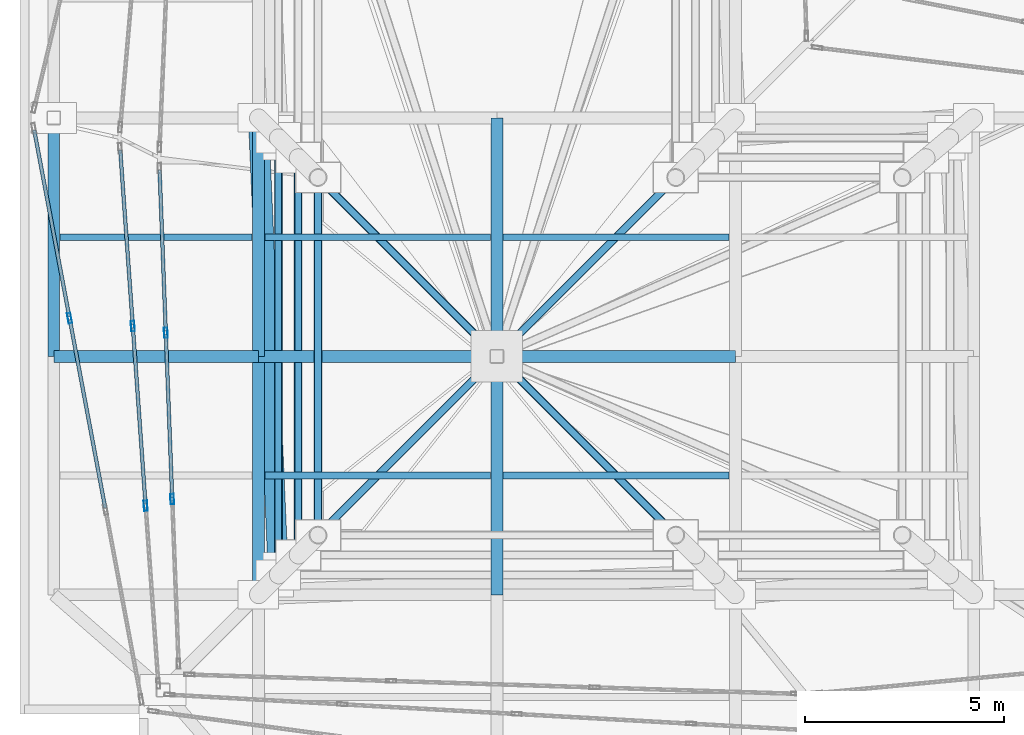
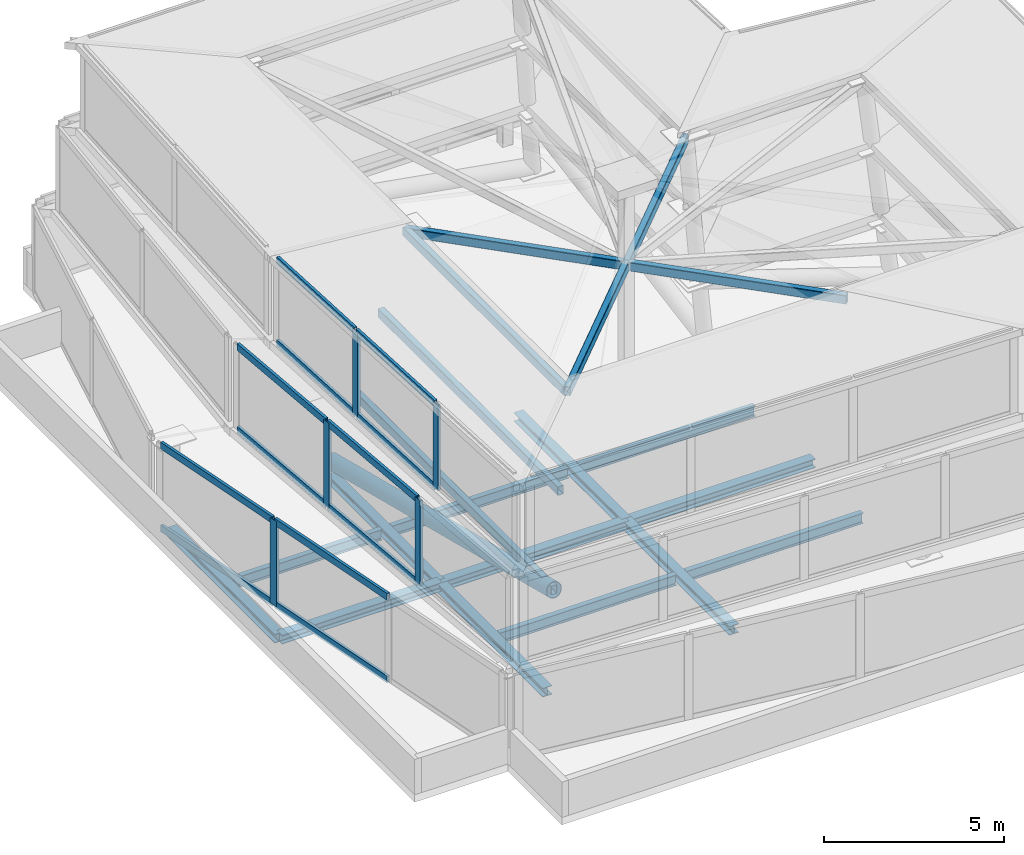
# One storey, part 3 of 15: 20 beams, 18 members, 3 elements without a shape of their own.
"""IFC4 building model written with IfcOpenShell, lengths in metres."""

from ifc_helpers import new_model, si_unit, direction, frame, origin, origin_2d, place, context, subcontext, project, spatial, hollow_rectangle, hollow_circle, i_section, extrude, material, layer, layer_set, material_profile, profile_set, type_object, element, aggregate, save


model = new_model("IFC4")

# Units and contexts
model_context = context("Model", 3, precision=1e-05, world=origin(), true_north=direction((0.0, 1.0)))
body_context = subcontext(model_context, "Body", "Model", "MODEL_VIEW")
ifc_project = project(units=[si_unit("LENGTHUNIT", "METRE"), si_unit("AREAUNIT", "SQUARE_METRE"), si_unit("VOLUMEUNIT", "CUBIC_METRE"), si_unit("PLANEANGLEUNIT", "RADIAN"), si_unit("MASSUNIT", "GRAM", prefix="KILO"), si_unit("THERMODYNAMICTEMPERATUREUNIT", "KELVIN"), si_unit("POWERUNIT", "WATT")], contexts=[model_context])

# Site, building, storey
site_placement = place(None, origin())
site = spatial("IfcSite", under=ifc_project, at=site_placement, CompositionType="ELEMENT")
building_placement = place(site_placement, origin())
building = spatial("IfcBuilding", under=site, at=building_placement, Name="Svarakhadi Broadcast Tower", CompositionType="ELEMENT")
storey_placement = place(building_placement, frame((0.0, 0.0, 310.5)))
storey = spatial("IfcBuildingStorey", under=building, at=storey_placement, Name="RF", CompositionType="ELEMENT", Elevation=310.5)

# Beams
ifc_material_1 = material(Name="Steel S355J2 (IS 2062 E350C)", Category="steel")
ifc_material_profile_1 = material_profile(ifc_material_1, i_section(OverallWidth=0.169921875, OverallDepth=0.360107421875, WebThickness=0.008056640625, FlangeThickness=0.0126953125, FilletRadius=0.01806640625, at=origin_2d()), Name="NPB 360x170x57")
ifc_profile_set_1 = profile_set([ifc_material_profile_1], Name="Steel S355J2 (IS 2062 E350C)")
beam_type_1 = type_object("IfcBeamType", Name="Beam_NPB360", PredefinedType="BEAM", material=ifc_profile_set_1)
beam_1_placement = place(storey_placement, frame((1.010009765625, 15.0, -0.429931640625), z_axis=(1.0, 0.0, 0.0), x_axis=(0.0, 1.0, 0.0)))
element("IfcBeam", 1, at=beam_1_placement, inside=storey, type_object=beam_type_1, Name="RF Secondary Composite Beam SB002", PredefinedType="BEAM", context=body_context, shape_type="SweptSolid", body=[
    extrude(i_section(OverallWidth=0.169921875, OverallDepth=0.360107421875, WebThickness=0.008056640625, FlangeThickness=0.0126953125, FilletRadius=0.01806640625, at=origin_2d()), origin(), (0.0, 0.0, 1.0), 4.830078125),
])
for number, where, z_axis, x_axis, name in (
    (2, (6.159912109375, 9.0, -0.429931640625), (1.0, 0.0, 0.0), (0.0, 1.0, 0.0), "RF Secondary Composite Beam SB005"),
    (3, (6.159912109375, 15.0, -0.429931640625), (1.0, 0.0, 0.0), (0.0, 1.0, 0.0), "RF Secondary Composite Beam SB006"),
    (4, (12.159912109375, 9.0, -0.429931640625), (1.0, 0.0, 0.0), (0.0, 1.0, 0.0), "RF Secondary Composite Beam SB008"),
    (5, (12.159912109375, 15.0, -0.429931640625), (1.0, 0.0, 0.0), (0.0, 1.0, 0.0), "RF Secondary Composite Beam SB009"),
):
    element("IfcBeam", number, at=place(storey_placement, frame(where, z_axis=z_axis, x_axis=x_axis)), inside=storey, type_object=beam_type_1, Name=name, PredefinedType="BEAM", context=body_context, shape_type="SweptSolid", body=[
        extrude(i_section(OverallWidth=0.169921875, OverallDepth=0.360107421875, WebThickness=0.008056640625, FlangeThickness=0.0126953125, FilletRadius=0.01806640625, at=origin_2d()), origin(), (0.0, 0.0, 1.0), 5.68017578125),
    ])

# Curtain wall, member
ifc_material_2 = material(Name="Anodised Bronze Aluminium AA 6063-T6", Category="aluminium")
ifc_layer = layer(ifc_material_2, 0.260009765625)
ifc_layer_set = layer_set([ifc_layer], Name="Anodised Bronze Aluminium AA 6063-T6")
curtain_wall_type = type_object("IfcCurtainWallType", Name="CW_Sys_07", PredefinedType="NOTDEFINED", material=ifc_layer_set)
curtain_wall_1_placement = place(storey_placement, origin())
curtain_wall_1 = element("IfcCurtainWall", 6, at=curtain_wall_1_placement, inside=storey, type_object=curtain_wall_type, Name="Crown Tier 1 Faceted Curtain Wall 8", PredefinedType="NOTDEFINED")
ifc_material_profile_2 = material_profile(ifc_material_2, hollow_rectangle(XDim=0.090087890625, YDim=0.260009765625, WallThickness=0.005615234375, at=origin_2d()), Name="ALU MULLION 260x90x6")
ifc_profile_set_2 = profile_set([ifc_material_profile_2], Name="Anodised Bronze Aluminium AA 6063-T6")
member_type_1 = type_object("IfcMemberType", Name="CW_Sys_07_Mul", PredefinedType="MULLION", material=ifc_profile_set_2)
member_1_placement = place(storey_placement, frame((1.246826171875, 12.961181640625, 0.0), z_axis=(0.0, 0.0, 1.0), x_axis=(0.982796739927, 0.184690465344, 0.0)))
member_1 = element("IfcMember", 7, at=member_1_placement, type_object=member_type_1, Name="CW-07 mullion 2", PredefinedType="MULLION", context=body_context, shape_type="SweptSolid", body=[
    extrude(hollow_rectangle(XDim=0.090087890625, YDim=0.260009765625, WallThickness=0.005615234375, at=origin_2d()), origin(), (0.0, 0.0, 1.0), 2.89990234375),
])

# Curtain wall, members
curtain_wall_2_placement = place(storey_placement, origin())
curtain_wall_2 = element("IfcCurtainWall", 8, at=curtain_wall_2_placement, inside=storey, type_object=curtain_wall_type, Name="Crown Tier 2 Faceted Curtain Wall 8", PredefinedType="NOTDEFINED")
member_2_placement = place(storey_placement, frame((2.838623046875, 12.76025390625, 2.89990234375), z_axis=(0.0, 0.0, 1.0), x_axis=(0.997458998512, 0.071242868326, 0.0)))
member_2 = element("IfcMember", 9, at=member_2_placement, type_object=member_type_1, Name="CW-07 mullion 2", PredefinedType="MULLION", context=body_context, shape_type="SweptSolid", body=[
    extrude(hollow_rectangle(XDim=0.090087890625, YDim=0.260009765625, WallThickness=0.005615234375, at=origin_2d()), origin(), (0.0, 0.0, 1.0), 2.900146484375),
])
member_3_placement = place(storey_placement, frame((3.161376953125, 8.23974609375, 2.89990234375), z_axis=(0.0, 0.0, 1.0), x_axis=(0.997458998512, 0.071242868326, 0.0)))
member_3 = element("IfcMember", 10, at=member_3_placement, type_object=member_type_1, Name="CW-07 mullion 3", PredefinedType="MULLION", context=body_context, shape_type="SweptSolid", body=[
    extrude(hollow_rectangle(XDim=0.090087890625, YDim=0.260009765625, WallThickness=0.005615234375, at=origin_2d()), origin(), (0.0, 0.0, 1.0), 2.900146484375),
])

curtain_wall_3_placement = place(storey_placement, origin())
curtain_wall_3 = element("IfcCurtainWall", 11, at=curtain_wall_3_placement, inside=storey, type_object=curtain_wall_type, Name="Crown Tier 3 Faceted Curtain Wall 8", PredefinedType="NOTDEFINED")
member_4_placement = place(storey_placement, frame((3.66943359375, 12.593505859375, 5.800048828125), z_axis=(0.0, 0.0, 1.0), x_axis=(0.999261456636, 0.038425789272, 0.0)))
member_4 = element("IfcMember", 12, at=member_4_placement, type_object=member_type_1, Name="CW-07 mullion 2", PredefinedType="MULLION", context=body_context, shape_type="SweptSolid", body=[
    extrude(hollow_rectangle(XDim=0.090087890625, YDim=0.260009765625, WallThickness=0.005615234375, at=origin_2d()), origin(), (0.0, 0.0, 1.0), 2.89990234375),
])
member_5_placement = place(storey_placement, frame((3.83056640625, 8.406494140625, 5.800048828125), z_axis=(0.0, 0.0, 1.0), x_axis=(0.999261456636, 0.038425789272, 0.0)))
member_5 = element("IfcMember", 13, at=member_5_placement, type_object=member_type_1, Name="CW-07 mullion 3", PredefinedType="MULLION", context=body_context, shape_type="SweptSolid", body=[
    extrude(hollow_rectangle(XDim=0.090087890625, YDim=0.260009765625, WallThickness=0.005615234375, at=origin_2d()), origin(), (0.0, 0.0, 1.0), 2.89990234375),
])

# Member
ifc_material_profile_3 = material_profile(ifc_material_2, hollow_rectangle(XDim=0.090087890625, YDim=0.22998046875, WallThickness=0.0048828125, at=origin_2d()), Name="ALU TRANSOM 230x90x5")
ifc_profile_set_3 = profile_set([ifc_material_profile_3], Name="Anodised Bronze Aluminium AA 6063-T6")
member_type_2 = type_object("IfcMemberType", Name="CW_Sys_07_Trn", PredefinedType="USERDEFINED", material=ifc_profile_set_3)
member_6_placement = place(storey_placement, frame((0.357177734375, 17.6953125, 0.044921875), z_axis=(0.184690082803, -0.982796811815, 0.0), x_axis=(0.982796811815, 0.184690082803, 0.0)))
member_6 = element("IfcMember", 14, at=member_6_placement, type_object=member_type_2, Name="CW-07 transom 1.1", ObjectType="TRANSOM", PredefinedType="USERDEFINED", context=body_context, shape_type="SweptSolid", body=[
    extrude(hollow_rectangle(XDim=0.090087890625, YDim=0.22998046875, WallThickness=0.0048828125, at=origin_2d()), origin(), (0.0, 0.0, 1.0), 4.77197265625),
])

member_7_placement = place(storey_placement, frame((0.357177734375, 17.6953125, 2.85498046875), z_axis=(0.184690082803, -0.982796811815, 0.0), x_axis=(0.982796811815, 0.184690082803, 0.0)))
member_7 = element("IfcMember", 15, at=member_7_placement, type_object=member_type_2, Name="CW-07 transom 1.2", ObjectType="TRANSOM", PredefinedType="USERDEFINED", context=body_context, shape_type="SweptSolid", body=[
    extrude(hollow_rectangle(XDim=0.090087890625, YDim=0.22998046875, WallThickness=0.0048828125, at=origin_2d()), origin(), (0.0, 0.0, 1.0), 4.77197265625),
])

member_8_placement = place(storey_placement, frame((1.255126953125, 12.9169921875, 0.044921875), z_axis=(0.184689394741, -0.982796941118, 0.0), x_axis=(0.982796941118, 0.184689394741, 0.0)))
member_8 = element("IfcMember", 16, at=member_8_placement, type_object=member_type_2, Name="CW-07 transom 2.1", ObjectType="TRANSOM", PredefinedType="USERDEFINED", context=body_context, shape_type="SweptSolid", body=[
    extrude(hollow_rectangle(XDim=0.090087890625, YDim=0.22998046875, WallThickness=0.0048828125, at=origin_2d()), origin(), (0.0, 0.0, 1.0), 4.81689453125),
])

member_9_placement = place(storey_placement, frame((1.255126953125, 12.9169921875, 2.85498046875), z_axis=(0.184689394741, -0.982796941118, 0.0), x_axis=(0.982796941118, 0.184689394741, 0.0)))
member_9 = element("IfcMember", 17, at=member_9_placement, type_object=member_type_2, Name="CW-07 transom 2.2", ObjectType="TRANSOM", PredefinedType="USERDEFINED", context=body_context, shape_type="SweptSolid", body=[
    extrude(hollow_rectangle(XDim=0.090087890625, YDim=0.22998046875, WallThickness=0.0048828125, at=origin_2d()), origin(), (0.0, 0.0, 1.0), 4.81689453125),
])

aggregate(curtain_wall_1, [member_1, member_6, member_7, member_8, member_9])

member_10_placement = place(storey_placement, frame((2.522216796875, 17.19091796875, 2.945068359375), z_axis=(0.071239158043, -0.99745926351, 0.0), x_axis=(0.99745926351, 0.071239158043, 0.0)))
member_10 = element("IfcMember", 18, at=member_10_placement, type_object=member_type_2, Name="CW-07 transom 1.1", ObjectType="TRANSOM", PredefinedType="USERDEFINED", context=body_context, shape_type="SweptSolid", body=[
    extrude(hollow_rectangle(XDim=0.090087890625, YDim=0.22998046875, WallThickness=0.0048828125, at=origin_2d()), origin(), (0.0, 0.0, 1.0), 4.39697265625),
])

member_11_placement = place(storey_placement, frame((2.522216796875, 17.19091796875, 5.7548828125), z_axis=(0.071239158043, -0.99745926351, 0.0), x_axis=(0.99745926351, 0.071239158043, 0.0)))
member_11 = element("IfcMember", 19, at=member_11_placement, type_object=member_type_2, Name="CW-07 transom 1.2", ObjectType="TRANSOM", PredefinedType="USERDEFINED", context=body_context, shape_type="SweptSolid", body=[
    extrude(hollow_rectangle(XDim=0.090087890625, YDim=0.22998046875, WallThickness=0.0048828125, at=origin_2d()), origin(), (0.0, 0.0, 1.0), 4.39697265625),
])

member_12_placement = place(storey_placement, frame((2.841796875, 12.71533203125, 2.945068359375), z_axis=(0.071231426116, -0.997459815699, 0.0), x_axis=(0.997459815699, 0.071231426116, 0.0)))
member_12 = element("IfcMember", 20, at=member_12_placement, type_object=member_type_2, Name="CW-07 transom 2.1", ObjectType="TRANSOM", PredefinedType="USERDEFINED", context=body_context, shape_type="SweptSolid", body=[
    extrude(hollow_rectangle(XDim=0.090087890625, YDim=0.22998046875, WallThickness=0.0048828125, at=origin_2d()), origin(), (0.0, 0.0, 1.0), 4.44189453125),
])

member_13_placement = place(storey_placement, frame((2.841796875, 12.71533203125, 5.7548828125), z_axis=(0.071231426116, -0.997459815699, 0.0), x_axis=(0.997459815699, 0.071231426116, 0.0)))
member_13 = element("IfcMember", 21, at=member_13_placement, type_object=member_type_2, Name="CW-07 transom 2.2", ObjectType="TRANSOM", PredefinedType="USERDEFINED", context=body_context, shape_type="SweptSolid", body=[
    extrude(hollow_rectangle(XDim=0.090087890625, YDim=0.22998046875, WallThickness=0.0048828125, at=origin_2d()), origin(), (0.0, 0.0, 1.0), 4.44189453125),
])

aggregate(curtain_wall_2, [member_2, member_3, member_10, member_11, member_12, member_13])

member_14_placement = place(storey_placement, frame((3.511962890625, 16.690185546875, 5.844970703125), z_axis=(0.038414622996, -0.999261885964, 0.0), x_axis=(0.999261885964, 0.038414622996, 0.0)))
member_14 = element("IfcMember", 22, at=member_14_placement, type_object=member_type_2, Name="CW-07 transom 1.1", ObjectType="TRANSOM", PredefinedType="USERDEFINED", context=body_context, shape_type="SweptSolid", body=[
    extrude(hollow_rectangle(XDim=0.090087890625, YDim=0.22998046875, WallThickness=0.0048828125, at=origin_2d()), origin(), (0.0, 0.0, 1.0), 4.0546875),
])

member_15_placement = place(storey_placement, frame((3.511962890625, 16.690185546875, 8.655029296875), z_axis=(0.038414622996, -0.999261885964, 0.0), x_axis=(0.999261885964, 0.038414622996, 0.0)))
member_15 = element("IfcMember", 23, at=member_15_placement, type_object=member_type_2, Name="CW-07 transom 1.2", ObjectType="TRANSOM", PredefinedType="USERDEFINED", context=body_context, shape_type="SweptSolid", body=[
    extrude(hollow_rectangle(XDim=0.090087890625, YDim=0.22998046875, WallThickness=0.0048828125, at=origin_2d()), origin(), (0.0, 0.0, 1.0), 4.0546875),
])

member_16_placement = place(storey_placement, frame((3.671142578125, 12.54833984375, 5.844970703125), z_axis=(0.038469714493, -0.999259766561, 0.0), x_axis=(0.999259766561, 0.038469714493, 0.0)))
member_16 = element("IfcMember", 24, at=member_16_placement, type_object=member_type_2, Name="CW-07 transom 2.1", ObjectType="TRANSOM", PredefinedType="USERDEFINED", context=body_context, shape_type="SweptSolid", body=[
    extrude(hollow_rectangle(XDim=0.090087890625, YDim=0.22998046875, WallThickness=0.0048828125, at=origin_2d()), origin(), (0.0, 0.0, 1.0), 4.099609375),
])

member_17_placement = place(storey_placement, frame((3.671142578125, 12.54833984375, 8.655029296875), z_axis=(0.038469714493, -0.999259766561, 0.0), x_axis=(0.999259766561, 0.038469714493, 0.0)))
member_17 = element("IfcMember", 25, at=member_17_placement, type_object=member_type_2, Name="CW-07 transom 2.2", ObjectType="TRANSOM", PredefinedType="USERDEFINED", context=body_context, shape_type="SweptSolid", body=[
    extrude(hollow_rectangle(XDim=0.090087890625, YDim=0.22998046875, WallThickness=0.0048828125, at=origin_2d()), origin(), (0.0, 0.0, 1.0), 4.099609375),
])

aggregate(curtain_wall_3, [member_4, member_5, member_14, member_15, member_16, member_17])

ifc_material_3 = material(Name="Steel S460ML (IS 2062 E450BR)", Category="steel")
ifc_material_profile_4 = material_profile(ifc_material_3, hollow_circle(Radius=0.25390625, WallThickness=0.02490234375, at=origin_2d()), Name="CHS 508x25")
ifc_profile_set_4 = profile_set([ifc_material_profile_4], Name="Steel S460ML (IS 2062 E450BR)")
member_type_3 = type_object("IfcMemberType", Name="Exo_Brace_CHS508", PredefinedType="BRACE", material=ifc_profile_set_4)
member_18_placement = place(storey_placement, frame((6.0, 18.0, 0.14990234375), z_axis=(0.042507847767, -0.977680498633, 0.205752097124), x_axis=(0.999056158355, 0.043437224276, 0.0)))
element("IfcMember", 26, at=member_18_placement, inside=storey, type_object=member_type_3, Name="Crown Tier 1 Diagonal Brace EX-05-08", PredefinedType="BRACE", context=body_context, shape_type="SweptSolid", body=[
    extrude(hollow_circle(Radius=0.25390625, WallThickness=0.02490234375, at=origin_2d()), origin(), (0.0, 0.0, 1.0), 11.762451171875),
])

# Beams
ifc_material_profile_5 = material_profile(ifc_material_1, i_section(OverallWidth=0.300048828125, OverallDepth=0.300048828125, WebThickness=0.010986328125, FlangeThickness=0.01904296875, FilletRadius=0.027099609375, at=origin_2d()), Name="WPB 300x300x117")
ifc_profile_set_5 = profile_set([ifc_material_profile_5], Name="Steel S355J2 (IS 2062 E350C)")
beam_type_2 = type_object("IfcBeamType", Name="Girder_WPB300", PredefinedType="USERDEFINED", material=ifc_profile_set_5)
beam_2_placement = place(storey_placement, frame((0.85009765625, 12.0, -0.39990234375), z_axis=(1.0, 0.0, 0.0), x_axis=(0.0, 1.0, 0.0)))
element("IfcBeam", 27, at=beam_2_placement, inside=storey, type_object=beam_type_2, Name="RF Primary E-W Girder G013", ObjectType="GIRDER", PredefinedType="USERDEFINED", context=body_context, shape_type="SweptSolid", body=[
    extrude(i_section(OverallWidth=0.300048828125, OverallDepth=0.300048828125, WebThickness=0.010986328125, FlangeThickness=0.01904296875, FilletRadius=0.027099609375, at=origin_2d()), origin(), (0.0, 0.0, 1.0), 5.14990234375),
])
for number, where, z_axis, x_axis, name in (
    (28, (6.0, 12.0, -0.39990234375), (1.0, 0.0, 0.0), (0.0, 1.0, 0.0), "RF Primary E-W Girder G014"),
    (29, (12.0, 12.0, -0.39990234375), (1.0, 0.0, 0.0), (0.0, 1.0, 0.0), "RF Primary E-W Girder G015"),
    (30, (0.85009765625, 12.0, -0.39990234375), (0.0, 1.0, 0.0), (-1.0, 0.0, 0.0), "RF Primary N-S Girder G027"),
    (31, (6.0, 6.0, -0.39990234375), (0.0, 1.0, 0.0), (-1.0, 0.0, 0.0), "RF Primary N-S Girder G030"),
    (32, (6.0, 12.0, -0.39990234375), (0.0, 1.0, 0.0), (-1.0, 0.0, 0.0), "RF Primary N-S Girder G031"),
    (33, (12.0, 6.0, -0.39990234375), (0.0, 1.0, 0.0), (-1.0, 0.0, 0.0), "RF Primary N-S Girder G034"),
    (34, (12.0, 12.0, -0.39990234375), (0.0, 1.0, 0.0), (-1.0, 0.0, 0.0), "RF Primary N-S Girder G035"),
):
    element("IfcBeam", number, at=place(storey_placement, frame(where, z_axis=z_axis, x_axis=x_axis)), inside=storey, type_object=beam_type_2, Name=name, ObjectType="GIRDER", PredefinedType="USERDEFINED", context=body_context, shape_type="SweptSolid", body=[
        extrude(i_section(OverallWidth=0.300048828125, OverallDepth=0.300048828125, WebThickness=0.010986328125, FlangeThickness=0.01904296875, FilletRadius=0.027099609375, at=origin_2d()), origin(), (0.0, 0.0, 1.0), 6.0),
    ])
ifc_material_profile_6 = material_profile(ifc_material_3, hollow_rectangle(XDim=0.199951171875, YDim=0.300048828125, WallThickness=0.012451171875, InnerFilletRadius=0.012451171875, OuterFilletRadius=0.02490234375, at=origin_2d()), Name="RHS 300x200x12.5")
ifc_profile_set_6 = profile_set([ifc_material_profile_6], Name="Steel S460ML (IS 2062 E450BR)")
beam_type_3 = type_object("IfcBeamType", Name="Spandrel_RHS300", PredefinedType="SPANDREL", material=ifc_profile_set_6)
beam_3_placement = place(storey_placement, frame((6.5, 17.5, 2.570068359375), z_axis=(0.0, -1.0, 0.0), x_axis=(1.0, 0.0, 0.0)))
element("IfcBeam", 35, at=beam_3_placement, inside=storey, type_object=beam_type_3, Name="Crown Tier 1 Stiffening Ring Beam CR-R1-8", PredefinedType="SPANDREL", context=body_context, shape_type="SweptSolid", body=[
    extrude(hollow_rectangle(XDim=0.199951171875, YDim=0.300048828125, WallThickness=0.012451171875, InnerFilletRadius=0.012451171875, OuterFilletRadius=0.02490234375, at=origin_2d()), origin(), (0.0, 0.0, 1.0), 11.0),
])
beam_4_placement = place(storey_placement, frame((7.0, 17.0, 5.469970703125), z_axis=(0.0, -1.0, 0.0), x_axis=(1.0, 0.0, 0.0)))
element("IfcBeam", 36, at=beam_4_placement, inside=storey, type_object=beam_type_3, Name="Crown Tier 2 Stiffening Ring Beam CR-R2-8", PredefinedType="SPANDREL", context=body_context, shape_type="SweptSolid", body=[
    extrude(hollow_rectangle(XDim=0.199951171875, YDim=0.300048828125, WallThickness=0.012451171875, InnerFilletRadius=0.012451171875, OuterFilletRadius=0.02490234375, at=origin_2d()), origin(), (0.0, 0.0, 1.0), 10.0),
])
beam_5_placement = place(storey_placement, frame((7.5, 16.5, 8.3701171875), z_axis=(0.0, -1.0, 0.0), x_axis=(1.0, 0.0, 0.0)))
element("IfcBeam", 37, at=beam_5_placement, inside=storey, type_object=beam_type_3, Name="Crown Tier 3 Stiffening Ring Beam CR-R3-8", PredefinedType="SPANDREL", context=body_context, shape_type="SweptSolid", body=[
    extrude(hollow_rectangle(XDim=0.199951171875, YDim=0.300048828125, WallThickness=0.012451171875, InnerFilletRadius=0.012451171875, OuterFilletRadius=0.02490234375, at=origin_2d()), origin(), (0.0, 0.0, 1.0), 9.0),
])
for number, where, z_axis, x_axis, name in (
    (38, (7.5, 7.5, 8.3701171875), (0.707106781187, 0.707106781187, 0.0), (-0.707106781187, 0.707106781187, 0.0), "Crown Tier 3 Radial Spoke Beam CR-SP01"),
    (39, (16.5, 7.5, 8.3701171875), (-0.707106781187, 0.707106781187, 0.0), (-0.707106781187, -0.707106781187, 0.0), "Crown Tier 3 Radial Spoke Beam CR-SP02"),
    (40, (16.5, 16.5, 8.3701171875), (-0.707106781187, -0.707106781187, 0.0), (0.707106781187, -0.707106781187, 0.0), "Crown Tier 3 Radial Spoke Beam CR-SP05"),
    (41, (7.5, 16.5, 8.3701171875), (0.707106781187, -0.707106781187, 0.0), (0.707106781187, 0.707106781187, 0.0), "Crown Tier 3 Radial Spoke Beam CR-SP08"),
):
    element("IfcBeam", number, at=place(storey_placement, frame(where, z_axis=z_axis, x_axis=x_axis)), inside=storey, type_object=beam_type_3, Name=name, PredefinedType="SPANDREL", context=body_context, shape_type="SweptSolid", body=[
        extrude(hollow_rectangle(XDim=0.199951171875, YDim=0.300048828125, WallThickness=0.012451171875, InnerFilletRadius=0.012451171875, OuterFilletRadius=0.02490234375, at=origin_2d()), origin(), (0.0, 0.0, 1.0), 6.364013671875),
    ])

save(model, "model.ifc")
